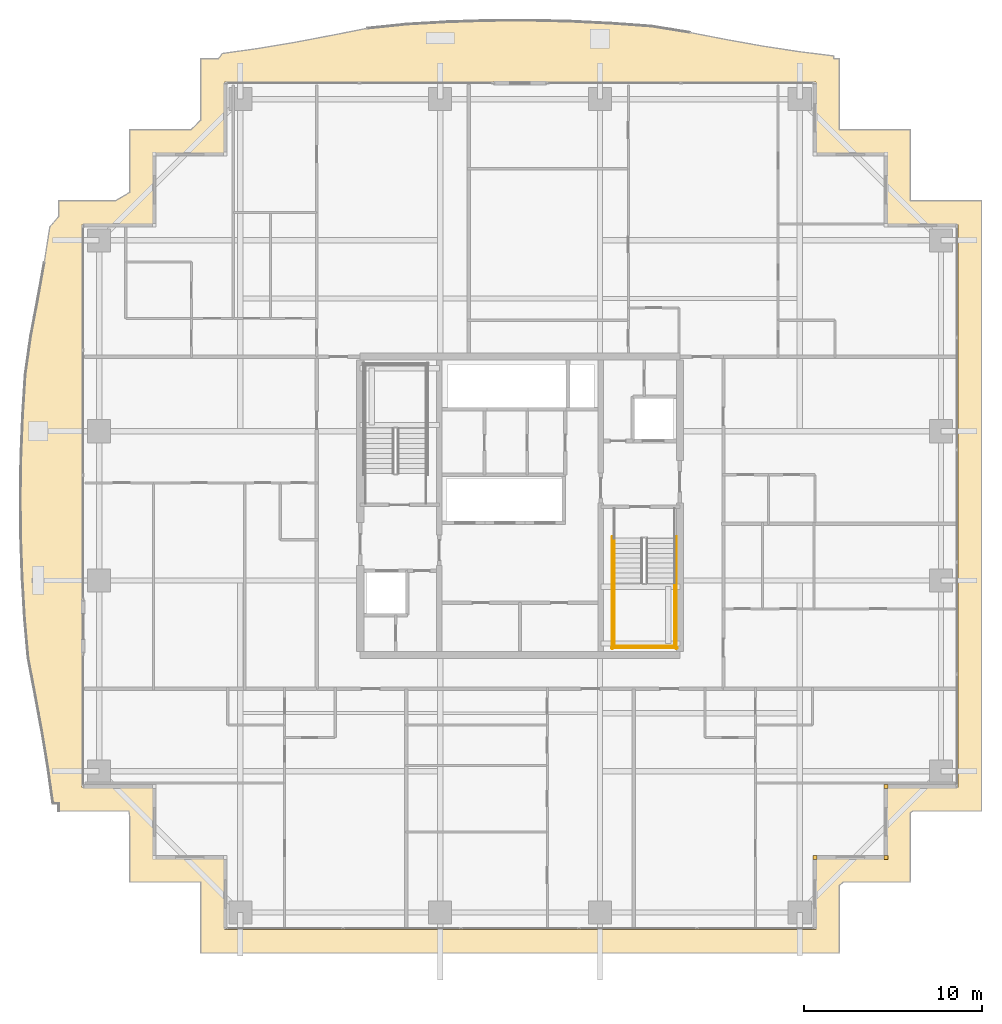
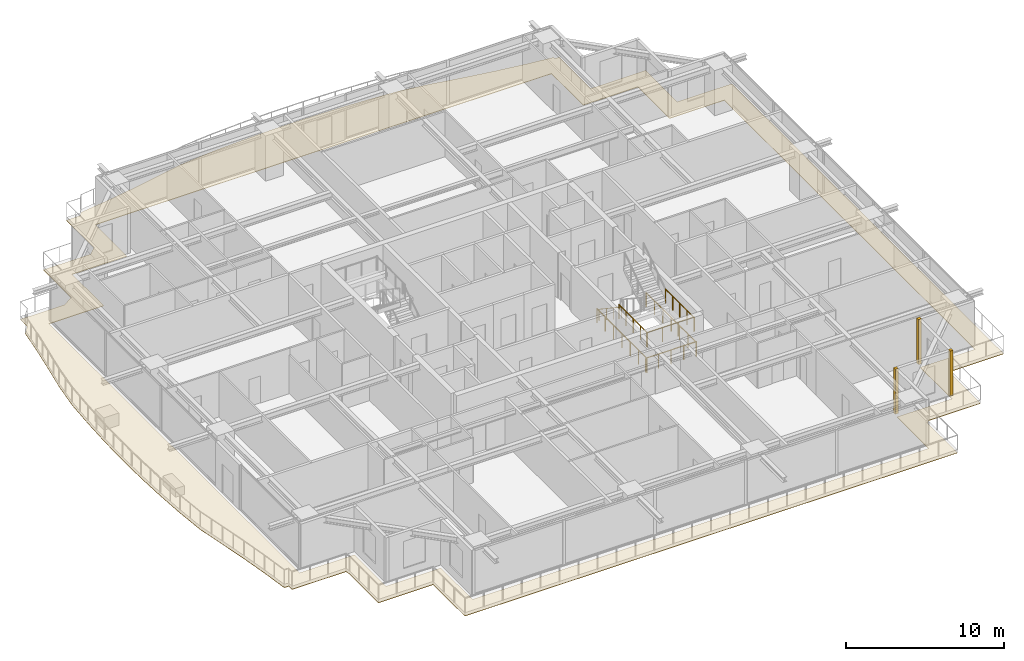
# One storey, part 35 of 37: 7 railings, 4 coverings.
"""IFC4 building model written with IfcOpenShell, lengths in metres."""

from ifc_helpers import new_model, si_unit, direction, frame, origin, origin_2d, place, context, subcontext, project, spatial, polyline, rectangle, circle, outline, extrude, source, transform, mapped, material, layer, layer_set, type_object, element, save


model = new_model("IFC4")

# Units and contexts
model_context = context("Model", 3, precision=1e-05, world=origin(), true_north=direction((0.0, 1.0)))
body_context = subcontext(model_context, "Body", "Model", "MODEL_VIEW")
ifc_project = project(units=[si_unit("LENGTHUNIT", "METRE"), si_unit("AREAUNIT", "SQUARE_METRE"), si_unit("VOLUMEUNIT", "CUBIC_METRE"), si_unit("PLANEANGLEUNIT", "RADIAN"), si_unit("MASSUNIT", "GRAM", prefix="KILO")], contexts=[model_context])

# Site, building, storey
site_placement = place(None, origin())
site = spatial("IfcSite", under=ifc_project, at=site_placement, CompositionType="ELEMENT")
building_placement = place(site_placement, origin())
building = spatial("IfcBuilding", under=site, at=building_placement, Name="Serunith Strait Residences", CompositionType="ELEMENT")
storey_placement = place(building_placement, frame((0.0, 0.0, 138.89990234375)))
storey = spatial("IfcBuildingStorey", under=building, at=storey_placement, Name="L34", CompositionType="ELEMENT", Elevation=138.89990234375)

# Covering
ifc_material_1 = material(Name="Golden Teak Exterior Timber Boarding", Category="wood")
ifc_layer_1 = layer(ifc_material_1, 0.034912109375, Name="Golden Teak Exterior Timber Boarding")
ifc_layer_set_1 = layer_set([ifc_layer_1], Name="Golden Teak Exterior Timber Boarding")
covering_type_1 = type_object("IfcCoveringType", Name="COV-TEAK-SOFFIT", PredefinedType="CEILING", material=ifc_layer_set_1)
covering_placement = place(storey_placement, frame((0.0, 0.0, -0.324951171875)))
element("IfcCovering", 1, at=covering_placement, inside=storey, type_object=covering_type_1, Name="L34 Golden-Teak Balcony Soffit Lining", PredefinedType="CEILING", context=body_context, shape_type="SweptSolid", body=[
    extrude(outline(polyline([(6.419921875, 8.02001953125), (6.419921875, 8.4296875), (6.095947265625, 8.4482421875), (5.817138671875, 10.44970703125), (5.4833984375, 12.47119140625), (5.10400390625, 14.529296875), (4.70166015625, 16.642822265625), (4.502685546875, 18.868408203125), (4.37060546875, 21.135986328125), (4.288818359375, 23.4287109375), (4.265380859375, 25.733642578125), (4.302490234375, 28.036376953125), (4.396728515625, 30.322509765625), (4.5390625, 32.58056640625), (4.84619140625, 34.758056640625), (5.242431640625, 36.8466796875), (5.60595703125, 38.887451171875), (5.9189453125, 40.8984375), (6.419921875, 41.48388671875), (6.419921875, 42.3798828125), (9.627685546875, 42.3798828125), (10.419921875, 42.8525390625), (10.419921875, 46.3798828125), (13.863525390625, 46.3798828125), (14.419921875, 46.915771484375), (14.419921875, 50.3798828125), (15.425048828125, 50.3798828125), (15.63330078125, 50.671142578125), (17.63134765625, 50.950439453125), (19.648193359375, 51.2880859375), (21.701904296875, 51.676513671875), (23.81298828125, 52.09130859375), (26.03759765625, 52.32080078125), (28.31640625, 52.4501953125), (30.62060546875, 52.523681640625), (32.93603515625, 52.533935546875), (35.246337890625, 52.4794921875), (37.53662109375, 52.366455078125), (39.79443359375, 52.205810546875), (41.957275390625, 51.855712890625), (44.0361328125, 51.450439453125), (46.068603515625, 51.087158203125), (48.074462890625, 50.78076171875), (50.0693359375, 50.533203125), (50.068115234375, 50.3798828125), (50.3798828125, 50.3798828125), (50.3798828125, 46.3798828125), (54.3798828125, 46.3798828125), (54.3798828125, 42.3798828125), (58.3798828125, 42.3798828125), (58.3798828125, 8.02001953125), (54.51513671875, 8.02001953125), (54.3798828125, 7.921875), (54.3798828125, 4.02001953125), (50.601806640625, 4.02001953125), (50.3798828125, 3.8408203125), (50.3798828125, 0.02001953125), (14.419921875, 0.02001953125), (14.419921875, 4.02001953125), (10.419921875, 4.02001953125), (10.419921875, 7.686767578125), (10.370849609375, 8.02001953125), (6.419921875, 8.02001953125)]), holes=[polyline([(49.054931640625, 1.344970703125), (49.054931640625, 5.344970703125), (53.054931640625, 5.344970703125), (53.054931640625, 9.344970703125), (57.054931640625, 9.344970703125), (57.054931640625, 41.054931640625), (53.054931640625, 41.054931640625), (53.054931640625, 45.054931640625), (49.054931640625, 45.054931640625), (49.054931640625, 49.054931640625), (15.7451171875, 49.054931640625), (15.7451171875, 45.054931640625), (11.7451171875, 45.054931640625), (11.7451171875, 41.054931640625), (7.7451171875, 41.054931640625), (7.7451171875, 9.344970703125), (11.7451171875, 9.344970703125), (11.7451171875, 5.344970703125), (15.7451171875, 5.344970703125), (15.7451171875, 1.344970703125), (49.054931640625, 1.344970703125)])]), origin(), (0.0, 0.0, 1.0), 0.03515625),
])

# Railings
ifc_material_2 = material(Name="Brushed stainless steel 316L", Category="steel")
railing_type_1 = type_object("IfcRailingType", Name="RLG-STAIR-GUARD", PredefinedType="BALUSTRADE", material=ifc_material_2)
for number, where, name in (
    (2, (37.699951171875, 20.85009765625, 1.875), "L34 ST-2 stair guard 3"),
    (3, (41.10009765625, 20.85009765625, 1.875), "L34 ST-2 stair guard 4"),
):
    element("IfcRailing", number, at=place(storey_placement, frame(where)), inside=storey, type_object=railing_type_1, Name=name, PredefinedType="BALUSTRADE", context=body_context, shape_type="SweptSolid", body=[
        extrude(circle(Radius=0.02392578125, at=origin_2d()), frame((0.0, -0.001953125, 1.076171875), z_axis=(0.0, -1.0, 0.0), x_axis=(1.0, 0.0, 0.0)), (0.0, 0.0, 1.0), 3.59619140625),
        extrude(circle(Radius=0.02099609375, at=origin_2d()), origin(), (0.0, 0.0, 1.0), 1.050048828125),
        extrude(circle(Radius=0.02099609375, at=origin_2d()), frame((0.0, -0.89990234375, 0.0)), (0.0, 0.0, 1.0), 1.050048828125),
        extrude(circle(Radius=0.02099609375, at=origin_2d()), frame((0.0, -1.800048828125, 0.0)), (0.0, 0.0, 1.0), 1.050048828125),
        extrude(circle(Radius=0.02099609375, at=origin_2d()), frame((0.0, -2.7001953125, 0.0)), (0.0, 0.0, 1.0), 1.050048828125),
        extrude(circle(Radius=0.02099609375, at=origin_2d()), frame((0.0, -3.60009765625, 0.0)), (0.0, 0.0, 1.0), 1.050048828125),
    ])
railing_1_placement = place(storey_placement, frame((37.64990234375, 17.300048828125, 1.875)))
element("IfcRailing", 4, at=railing_1_placement, inside=storey, type_object=railing_type_1, Name="L34 ST-2 stair guard 5", PredefinedType="BALUSTRADE", context=body_context, shape_type="SweptSolid", body=[
    extrude(circle(Radius=0.02392578125, at=origin_2d()), frame((0.001953125, 0.0, 1.076171875), z_axis=(1.0, 0.0, 0.0), x_axis=(0.0, 1.0, 0.0)), (0.0, 0.0, 1.0), 3.49609375),
    extrude(circle(Radius=0.02099609375, at=origin_2d()), origin(), (0.0, 0.0, 1.0), 1.050048828125),
    extrude(circle(Radius=0.02099609375, at=origin_2d()), frame((1.166748046875, 0.0, 0.0)), (0.0, 0.0, 1.0), 1.050048828125),
    extrude(circle(Radius=0.02099609375, at=origin_2d()), frame((2.333251953125, 0.0, 0.0)), (0.0, 0.0, 1.0), 1.050048828125),
    extrude(circle(Radius=0.02099609375, at=origin_2d()), frame((3.5, 0.0, 0.0)), (0.0, 0.0, 1.0), 1.050048828125),
])
for number, where, name in (
    (5, (37.60009765625, 23.469970703125, 0.0), "L34 ST-2 stair guard 10"),
    (6, (41.199951171875, 23.469970703125, 0.0), "L34 ST-2 stair guard 11"),
):
    element("IfcRailing", number, at=place(storey_placement, frame(where)), inside=storey, type_object=railing_type_1, Name=name, PredefinedType="BALUSTRADE", context=body_context, shape_type="SweptSolid", body=[
        extrude(circle(Radius=0.02392578125, at=origin_2d()), frame((0.0, -0.001953125, 1.076171875), z_axis=(0.0, -1.0, 0.0), x_axis=(1.0, 0.0, 0.0)), (0.0, 0.0, 1.0), 6.316162109375),
        extrude(circle(Radius=0.02099609375, at=origin_2d()), origin(), (0.0, 0.0, 1.0), 1.050048828125),
        extrude(circle(Radius=0.02099609375, at=origin_2d()), frame((0.0, -1.05322265625, 0.0)), (0.0, 0.0, 1.0), 1.050048828125),
        extrude(circle(Radius=0.02099609375, at=origin_2d()), frame((0.0, -2.106689453125, 0.0)), (0.0, 0.0, 1.0), 1.050048828125),
        extrude(circle(Radius=0.02099609375, at=origin_2d()), frame((0.0, -3.16015625, 0.0)), (0.0, 0.0, 1.0), 1.050048828125),
        extrude(circle(Radius=0.02099609375, at=origin_2d()), frame((0.0, -4.21337890625, 0.0)), (0.0, 0.0, 1.0), 1.050048828125),
        extrude(circle(Radius=0.02099609375, at=origin_2d()), frame((0.0, -5.2666015625, 0.0)), (0.0, 0.0, 1.0), 1.050048828125),
        extrude(circle(Radius=0.02099609375, at=origin_2d()), frame((0.0, -6.320068359375, 0.0)), (0.0, 0.0, 1.0), 1.050048828125),
    ])
railing_2_placement = place(storey_placement, frame((37.550048828125, 17.199951171875, 0.0)))
element("IfcRailing", 7, at=railing_2_placement, inside=storey, type_object=railing_type_1, Name="L34 ST-2 stair guard 12", PredefinedType="BALUSTRADE", context=body_context, shape_type="SweptSolid", body=[
    extrude(circle(Radius=0.02392578125, at=origin_2d()), frame((0.001953125, 0.0, 1.076171875), z_axis=(1.0, 0.0, 0.0), x_axis=(0.0, 1.0, 0.0)), (0.0, 0.0, 1.0), 3.696044921875),
    extrude(circle(Radius=0.02099609375, at=origin_2d()), origin(), (0.0, 0.0, 1.0), 1.050048828125),
    extrude(circle(Radius=0.02099609375, at=origin_2d()), frame((0.925048828125, 0.0, 0.0)), (0.0, 0.0, 1.0), 1.050048828125),
    extrude(circle(Radius=0.02099609375, at=origin_2d()), frame((1.85009765625, 0.0, 0.0)), (0.0, 0.0, 1.0), 1.050048828125),
    extrude(circle(Radius=0.02099609375, at=origin_2d()), frame((2.77490234375, 0.0, 0.0)), (0.0, 0.0, 1.0), 1.050048828125),
    extrude(circle(Radius=0.02099609375, at=origin_2d()), frame((3.699951171875, 0.0, 0.0)), (0.0, 0.0, 1.0), 1.050048828125),
])
railing_type_2 = type_object("IfcRailingType", Name="RLG-STAIR-HR", PredefinedType="HANDRAIL", material=ifc_material_2)
railing_3_placement = place(storey_placement, frame((37.699951171875, 23.3701171875, 0.1875)))
element("IfcRailing", 8, at=railing_3_placement, inside=storey, type_object=railing_type_2, Name="L34 ST-2 stair handrail 1", PredefinedType="HANDRAIL", context=body_context, shape_type="SweptSolid", body=[
    extrude(circle(Radius=0.02392578125, at=origin_2d()), frame((0.0, -0.001708984375, 0.876953125), z_axis=(0.0, -0.830208209119, 0.557453432594), x_axis=(1.0, 0.0, 0.0)), (0.0, 0.0, 1.0), 3.36865234375),
    extrude(circle(Radius=0.02099609375, at=origin_2d()), origin(), (0.0, 0.0, 1.0), 0.849853515625),
    extrude(circle(Radius=0.02099609375, at=origin_2d()), frame((0.0, -0.933349609375, 0.626708984375)), (0.0, 0.0, 1.0), 0.849853515625),
    extrude(circle(Radius=0.02099609375, at=origin_2d()), frame((0.0, -1.86669921875, 1.25341796875)), (0.0, 0.0, 1.0), 0.849853515625),
    extrude(circle(Radius=0.02099609375, at=origin_2d()), frame((0.0, -2.800048828125, 1.880126953125)), (0.0, 0.0, 1.0), 0.849853515625),
])

# Coverings
ifc_material_3 = material(Name="Pale-Champagne Anodised Aluminium", Category="aluminium")
ifc_layer_2 = layer(ifc_material_3, 0.219970703125, Name="Pale-Champagne Anodised Aluminium")
ifc_layer_set_2 = layer_set([ifc_layer_2], Name="Pale-Champagne Anodised Aluminium")
covering_type_2 = type_object("IfcCoveringType", Name="COV-CORN-TRIM", PredefinedType="CLADDING", material=ifc_layer_set_2)
shared_shape = source(origin(), body_context, "Body", "SweptSolid", [
    extrude(rectangle(XDim=0.221923828125, YDim=0.221923828125, at=origin_2d()), origin(), (0.0, 0.0, 1.0), 3.47509765625),
])
for number, where, z_axis, x_axis, name in (
    (9, (49.0, 5.39990234375, 0.0), (0.0, 0.0, 1.0), (1.0, 0.0, 0.0), "L34 Girih Serrated Corner Trim Post 02"),
    (10, (53.0, 5.39990234375, 0.0), (0.0, 0.0, 1.0), (1.0, 0.0, 0.0), "L34 Girih Serrated Corner Trim Post 03"),
    (11, (53.0, 9.39990234375, 0.0), (0.0, 0.0, 1.0), (1.0, 0.0, 0.0), "L34 Girih Serrated Corner Trim Post 04"),
):
    element("IfcCovering", number, at=place(storey_placement, frame(where, z_axis=z_axis, x_axis=x_axis)), inside=storey, type_object=covering_type_2, Name=name, PredefinedType="CLADDING", context=body_context, shape_type="MappedRepresentation", body=[
        mapped(shared_shape, transform((0.0, 0.0, 0.0), scale=1.0)),
    ])

save(model, "model.ifc")
